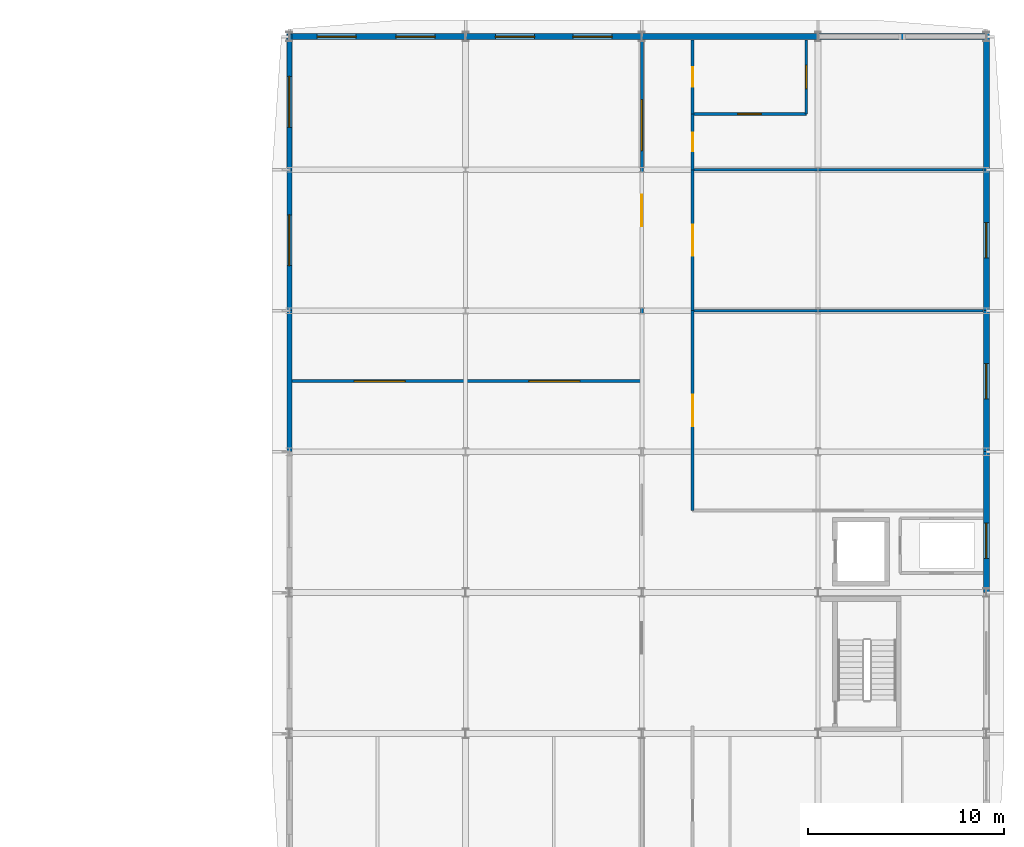
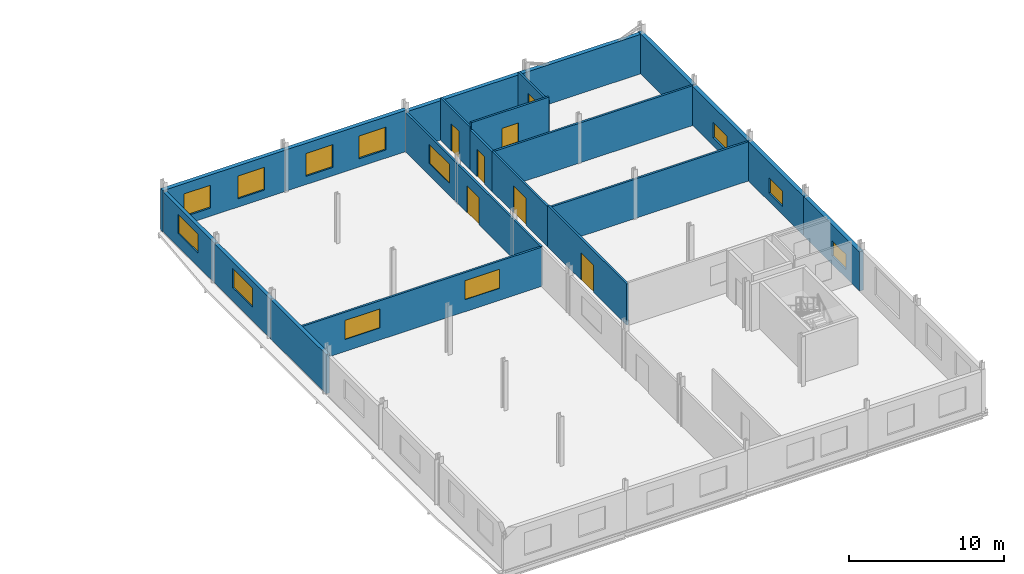
# One storey, part 45 of 49: 21 walls, 14 windows, 5 doors, 19 openings.
"""IFC4 building model written with IfcOpenShell, lengths in metres."""

from ifc_helpers import new_model, si_unit, direction, frame, frame_2d, origin, place, context, subcontext, project, spatial, rectangle, extrude, material, layer, layer_set, type_object, element, fill, save


model = new_model("IFC4")

# Units and contexts
model_context = context("Model", 3, precision=1e-05, world=origin(), true_north=direction((0.0, 1.0)))
body_context = subcontext(model_context, "Body", "Model", "MODEL_VIEW")
ifc_project = project(units=[si_unit("LENGTHUNIT", "METRE"), si_unit("AREAUNIT", "SQUARE_METRE"), si_unit("VOLUMEUNIT", "CUBIC_METRE"), si_unit("PLANEANGLEUNIT", "RADIAN"), si_unit("MASSUNIT", "GRAM", prefix="KILO")], contexts=[model_context])

# Site, building, storey
site_placement = place(None, origin())
site = spatial("IfcSite", under=ifc_project, at=site_placement, CompositionType="ELEMENT")
building_placement = place(site_placement, origin())
building = spatial("IfcBuilding", under=site, at=building_placement, Name="Vinh Khe Railworks Police Headquarters", CompositionType="ELEMENT")
storey_placement = place(building_placement, frame((0.0, 0.0, 17.10009765625)))
storey = spatial("IfcBuildingStorey", under=building, at=storey_placement, Name="L04", CompositionType="ELEMENT", Elevation=17.10009765625)

# Wall
ifc_material_1 = material(Name="Clay brickwork", Category="masonry")
ifc_layer_1 = layer(ifc_material_1, 0.260009765625)
ifc_layer_set_1 = layer_set([ifc_layer_1], Name="Clay brickwork")
wall_type_1 = type_object("IfcWallType", Name="EW-BRK-260", PredefinedType="SOLIDWALL", material=ifc_layer_set_1)
wall_1_placement = place(storey_placement, frame((78.0, 145.199951171875, 0.0), z_axis=(0.0, 0.0, 1.0), x_axis=(0.0, 1.0, 0.0)))
element("IfcWall", 1, at=wall_1_placement, inside=storey, type_object=wall_type_1, Name="Exterior Brick Wall EW-L04-V6W-04", PredefinedType="SOLIDWALL", context=body_context, shape_type="SweptSolid", body=[
    extrude(rectangle(XDim=7.199951171875, YDim=0.260009765625, at=frame_2d((3.60009765625, 0.0))), origin(), (0.0, 0.0, 1.0), 3.094970703125),
])

# Wall, opening, window
wall_2_placement = place(storey_placement, frame((78.0, 152.39990234375, 0.0), z_axis=(0.0, 0.0, 1.0), x_axis=(0.0, 1.0, 0.0)))
wall_2 = element("IfcWall", 2, at=wall_2_placement, inside=storey, type_object=wall_type_1, Name="Exterior Brick Wall EW-L04-V6W-05", PredefinedType="SOLIDWALL", context=body_context, shape_type="SweptSolid", body=[
    extrude(rectangle(XDim=7.2001953125, YDim=0.260009765625, at=frame_2d((3.60009765625, 0.0))), origin(), (0.0, 0.0, 1.0), 3.094970703125),
])
opening_1_placement = place(wall_2_placement, frame((2.300048828125, 0.0, 1.050048828125)))
opening_1 = element("IfcOpeningElement", 3, at=opening_1_placement, cuts=wall_2, Name="Opening WN-07", PredefinedType="OPENING", context=body_context, shape_type="SweptSolid", body=[
    extrude(rectangle(XDim=2.60009765625, YDim=1.5, at=frame_2d((1.300048828125, 0.75))), frame((0.0, 0.14501953125, 0.0), z_axis=(0.0, -1.0, 0.0), x_axis=(1.0, 0.0, 0.0)), (0.0, 0.0, 1.0), 0.289794921875),
])
ifc_material_2 = material(Name="Double-glazed solar-control glass in dark steel frame", Category="steel")
window_type_1 = type_object("IfcWindowType", Name="WIN-WN-07", PartitioningType="DOUBLE_PANEL_HORIZONTAL", PredefinedType="WINDOW", material=ifc_material_2)
window_1_placement = place(opening_1_placement, origin())
window_1 = element("IfcWindow", 4, at=window_1_placement, inside=storey, type_object=window_type_1, Name="Casement Window WN-07", OverallHeight=1.5, OverallWidth=2.60009765625, PartitioningType="SINGLE_PANEL", PredefinedType="WINDOW", context=body_context, shape_type="SweptSolid", body=[
    extrude(rectangle(XDim=2.60009765625, YDim=1.5, at=frame_2d((1.300048828125, 0.75))), frame((0.0, 0.030029296875, 0.0), z_axis=(0.0, -1.0, 0.0), x_axis=(1.0, 0.0, 0.0)), (0.0, 0.0, 1.0), 0.06005859375),
])
fill(opening_1, window_1)

wall_3_placement = place(storey_placement, frame((78.0, 159.60009765625, 0.0), z_axis=(0.0, 0.0, 1.0), x_axis=(0.0, 1.0, 0.0)))
wall_3 = element("IfcWall", 5, at=wall_3_placement, inside=storey, type_object=wall_type_1, Name="Exterior Brick Wall EW-L04-V6W-06", PredefinedType="SOLIDWALL", context=body_context, shape_type="SweptSolid", body=[
    extrude(rectangle(XDim=6.929931640625, YDim=0.260009765625, at=frame_2d((3.46484375, 0.0))), origin(), (0.0, 0.0, 1.0), 3.14501953125),
])
opening_2_placement = place(wall_3_placement, frame((2.1650390625, 0.0, 1.050048828125)))
opening_2 = element("IfcOpeningElement", 6, at=opening_2_placement, cuts=wall_3, Name="Opening WN-07", PredefinedType="OPENING", context=body_context, shape_type="SweptSolid", body=[
    extrude(rectangle(XDim=2.60009765625, YDim=1.5, at=frame_2d((1.300048828125, 0.75))), frame((0.0, 0.14501953125, 0.0), z_axis=(0.0, -1.0, 0.0), x_axis=(1.0, 0.0, 0.0)), (0.0, 0.0, 1.0), 0.289794921875),
])
window_2_placement = place(opening_2_placement, origin())
window_2 = element("IfcWindow", 7, at=window_2_placement, inside=storey, type_object=window_type_1, Name="Casement Window WN-07", OverallHeight=1.5, OverallWidth=2.60009765625, PartitioningType="SINGLE_PANEL", PredefinedType="WINDOW", context=body_context, shape_type="SweptSolid", body=[
    extrude(rectangle(XDim=2.60009765625, YDim=1.5, at=frame_2d((1.300048828125, 0.75))), frame((0.0, 0.030029296875, 0.0), z_axis=(0.0, -1.0, 0.0), x_axis=(1.0, 0.0, 0.0)), (0.0, 0.0, 1.0), 0.06005859375),
])
fill(opening_2, window_2)

ifc_layer_2 = layer(ifc_material_1, 0.300048828125)
ifc_layer_set_2 = layer_set([ifc_layer_2], Name="Clay brickwork")
wall_type_2 = type_object("IfcWallType", Name="EW-BRK-300", PredefinedType="SOLIDWALL", material=ifc_layer_set_2)
wall_4_placement = place(storey_placement, frame((113.60009765625, 138.0, 0.0), z_axis=(0.0, 0.0, 1.0), x_axis=(0.0, 1.0, 0.0)))
wall_4 = element("IfcWall", 8, at=wall_4_placement, inside=storey, type_object=wall_type_2, Name="Exterior Brick Wall EW-L04-V6E-03", PredefinedType="SOLIDWALL", context=body_context, shape_type="SweptSolid", body=[
    extrude(rectangle(XDim=7.199951171875, YDim=0.300048828125, at=frame_2d((3.60009765625, 0.0))), origin(), (0.0, 0.0, 1.0), 3.094970703125),
])
opening_3_placement = place(wall_4_placement, frame((1.75, 0.0, 0.64990234375)))
opening_3 = element("IfcOpeningElement", 9, at=opening_3_placement, cuts=wall_4, Name="Opening WN-08", PredefinedType="OPENING", context=body_context, shape_type="SweptSolid", body=[
    extrude(rectangle(XDim=1.800048828125, YDim=1.199951171875, at=frame_2d((0.89990234375, 0.60009765625))), frame((0.0, 0.1650390625, 0.0), z_axis=(0.0, -1.0, 0.0), x_axis=(1.0, 0.0, 0.0)), (0.0, 0.0, 1.0), 0.329833984375),
])
window_type_2 = type_object("IfcWindowType", Name="WIN-WN-08", PartitioningType="SINGLE_PANEL", PredefinedType="WINDOW", material=ifc_material_2)
window_3_placement = place(opening_3_placement, origin())
window_3 = element("IfcWindow", 10, at=window_3_placement, inside=storey, type_object=window_type_2, Name="Casement Window WN-08", OverallHeight=1.199951171875, OverallWidth=1.800048828125, PartitioningType="SINGLE_PANEL", PredefinedType="WINDOW", context=body_context, shape_type="SweptSolid", body=[
    extrude(rectangle(XDim=1.800048828125, YDim=1.199951171875, at=frame_2d((0.89990234375, 0.60009765625))), frame((0.0, 0.030029296875, 0.0), z_axis=(0.0, -1.0, 0.0), x_axis=(1.0, 0.0, 0.0)), (0.0, 0.0, 1.0), 0.06005859375),
])
fill(opening_3, window_3)

wall_5_placement = place(storey_placement, frame((113.60009765625, 145.199951171875, 0.0), z_axis=(0.0, 0.0, 1.0), x_axis=(0.0, 1.0, 0.0)))
wall_5 = element("IfcWall", 11, at=wall_5_placement, inside=storey, type_object=wall_type_2, Name="Exterior Brick Wall EW-L04-V6E-04", PredefinedType="SOLIDWALL", context=body_context, shape_type="SweptSolid", body=[
    extrude(rectangle(XDim=7.199951171875, YDim=0.300048828125, at=frame_2d((3.60009765625, 0.0))), origin(), (0.0, 0.0, 1.0), 3.094970703125),
])
opening_4_placement = place(wall_5_placement, frame((2.699951171875, 0.0, 0.64990234375)))
opening_4 = element("IfcOpeningElement", 12, at=opening_4_placement, cuts=wall_5, Name="Opening WN-08", PredefinedType="OPENING", context=body_context, shape_type="SweptSolid", body=[
    extrude(rectangle(XDim=1.800048828125, YDim=1.199951171875, at=frame_2d((0.89990234375, 0.60009765625))), frame((0.0, 0.1650390625, 0.0), z_axis=(0.0, -1.0, 0.0), x_axis=(1.0, 0.0, 0.0)), (0.0, 0.0, 1.0), 0.329833984375),
])
window_4_placement = place(opening_4_placement, origin())
window_4 = element("IfcWindow", 13, at=window_4_placement, inside=storey, type_object=window_type_2, Name="Casement Window WN-08", OverallHeight=1.199951171875, OverallWidth=1.800048828125, PartitioningType="SINGLE_PANEL", PredefinedType="WINDOW", context=body_context, shape_type="SweptSolid", body=[
    extrude(rectangle(XDim=1.800048828125, YDim=1.199951171875, at=frame_2d((0.89990234375, 0.60009765625))), frame((0.0, 0.030029296875, 0.0), z_axis=(0.0, -1.0, 0.0), x_axis=(1.0, 0.0, 0.0)), (0.0, 0.0, 1.0), 0.06005859375),
])
fill(opening_4, window_4)

wall_6_placement = place(storey_placement, frame((113.60009765625, 152.39990234375, 0.0), z_axis=(0.0, 0.0, 1.0), x_axis=(0.0, 1.0, 0.0)))
wall_6 = element("IfcWall", 14, at=wall_6_placement, inside=storey, type_object=wall_type_2, Name="Exterior Brick Wall EW-L04-V6E-05", PredefinedType="SOLIDWALL", context=body_context, shape_type="SweptSolid", body=[
    extrude(rectangle(XDim=7.2001953125, YDim=0.300048828125, at=frame_2d((3.60009765625, 0.0))), origin(), (0.0, 0.0, 1.0), 3.094970703125),
])
opening_5_placement = place(wall_6_placement, frame((2.699951171875, 0.0, 0.64990234375)))
opening_5 = element("IfcOpeningElement", 15, at=opening_5_placement, cuts=wall_6, Name="Opening WN-08", PredefinedType="OPENING", context=body_context, shape_type="SweptSolid", body=[
    extrude(rectangle(XDim=1.800048828125, YDim=1.199951171875, at=frame_2d((0.89990234375, 0.60009765625))), frame((0.0, 0.1650390625, 0.0), z_axis=(0.0, -1.0, 0.0), x_axis=(1.0, 0.0, 0.0)), (0.0, 0.0, 1.0), 0.329833984375),
])
window_5_placement = place(opening_5_placement, origin())
window_5 = element("IfcWindow", 16, at=window_5_placement, inside=storey, type_object=window_type_2, Name="Casement Window WN-08", OverallHeight=1.199951171875, OverallWidth=1.800048828125, PartitioningType="SINGLE_PANEL", PredefinedType="WINDOW", context=body_context, shape_type="SweptSolid", body=[
    extrude(rectangle(XDim=1.800048828125, YDim=1.199951171875, at=frame_2d((0.89990234375, 0.60009765625))), frame((0.0, 0.030029296875, 0.0), z_axis=(0.0, -1.0, 0.0), x_axis=(1.0, 0.0, 0.0)), (0.0, 0.0, 1.0), 0.06005859375),
])
fill(opening_5, window_5)

# Wall
wall_7_placement = place(storey_placement, frame((113.60009765625, 159.60009765625, 0.0), z_axis=(0.0, 0.0, 1.0), x_axis=(0.0, 1.0, 0.0)))
element("IfcWall", 17, at=wall_7_placement, inside=storey, type_object=wall_type_2, Name="Exterior Brick Wall EW-L04-V6E-06", PredefinedType="SOLIDWALL", context=body_context, shape_type="SweptSolid", body=[
    extrude(rectangle(XDim=6.949951171875, YDim=0.300048828125, at=frame_2d((3.47509765625, 0.0))), origin(), (0.0, 0.0, 1.0), 3.14501953125),
])

# Wall, openings, windows
wall_8_placement = place(storey_placement, frame((77.85009765625, 166.39990234375, 0.0), z_axis=(0.0, 0.0, 1.0), x_axis=(1.0, 0.0, 0.0)))
wall_8 = element("IfcWall", 18, at=wall_8_placement, inside=storey, type_object=wall_type_2, Name="Exterior Brick Wall EW-L04-V6N-01", PredefinedType="SOLIDWALL", context=body_context, shape_type="SweptSolid", body=[
    extrude(rectangle(XDim=9.14990234375, YDim=0.300048828125, at=frame_2d((4.574951171875, 0.0))), origin(), (0.0, 0.0, 1.0), 3.2548828125),
])
opening_6_placement = place(wall_8_placement, frame((1.56201171875, 0.0, 0.64990234375)))
opening_6 = element("IfcOpeningElement", 19, at=opening_6_placement, cuts=wall_8, Name="Opening WN-04", PredefinedType="OPENING", context=body_context, shape_type="SweptSolid", body=[
    extrude(rectangle(XDim=2.0, YDim=1.800048828125, at=frame_2d((1.0, 0.89990234375))), frame((0.0, 0.1650390625, 0.0), z_axis=(0.0, -1.0, 0.0), x_axis=(1.0, 0.0, 0.0)), (0.0, 0.0, 1.0), 0.329833984375),
])
opening_7_placement = place(wall_8_placement, frame((5.587890625, 0.0, 0.64990234375)))
opening_7 = element("IfcOpeningElement", 20, at=opening_7_placement, cuts=wall_8, Name="Opening WN-04", PredefinedType="OPENING", context=body_context, shape_type="SweptSolid", body=[
    extrude(rectangle(XDim=2.0, YDim=1.800048828125, at=frame_2d((1.0, 0.89990234375))), frame((0.0, 0.1650390625, 0.0), z_axis=(0.0, -1.0, 0.0), x_axis=(1.0, 0.0, 0.0)), (0.0, 0.0, 1.0), 0.329833984375),
])
window_type_3 = type_object("IfcWindowType", Name="WIN-WN-04", PartitioningType="DOUBLE_PANEL_VERTICAL", PredefinedType="WINDOW", material=ifc_material_2)
window_6_placement = place(opening_6_placement, origin())
window_6 = element("IfcWindow", 21, at=window_6_placement, inside=storey, type_object=window_type_3, Name="Casement Window WN-04", OverallHeight=1.800048828125, OverallWidth=2.0, PartitioningType="SINGLE_PANEL", PredefinedType="WINDOW", context=body_context, shape_type="SweptSolid", body=[
    extrude(rectangle(XDim=2.0, YDim=1.800048828125, at=frame_2d((1.0, 0.89990234375))), frame((0.0, 0.030029296875, 0.0), z_axis=(0.0, -1.0, 0.0), x_axis=(1.0, 0.0, 0.0)), (0.0, 0.0, 1.0), 0.06005859375),
])
fill(opening_6, window_6)
window_7_placement = place(opening_7_placement, origin())
window_7 = element("IfcWindow", 22, at=window_7_placement, inside=storey, type_object=window_type_3, Name="Casement Window WN-04", OverallHeight=1.800048828125, OverallWidth=2.0, PartitioningType="SINGLE_PANEL", PredefinedType="WINDOW", context=body_context, shape_type="SweptSolid", body=[
    extrude(rectangle(XDim=2.0, YDim=1.800048828125, at=frame_2d((1.0, 0.89990234375))), frame((0.0, 0.030029296875, 0.0), z_axis=(0.0, -1.0, 0.0), x_axis=(1.0, 0.0, 0.0)), (0.0, 0.0, 1.0), 0.06005859375),
])
fill(opening_7, window_7)

wall_9_placement = place(storey_placement, frame((87.0, 166.39990234375, 0.0), z_axis=(0.0, 0.0, 1.0), x_axis=(1.0, 0.0, 0.0)))
wall_9 = element("IfcWall", 23, at=wall_9_placement, inside=storey, type_object=wall_type_2, Name="Exterior Brick Wall EW-L04-V6N-02", PredefinedType="SOLIDWALL", context=body_context, shape_type="SweptSolid", body=[
    extrude(rectangle(XDim=9.0, YDim=0.300048828125, at=frame_2d((4.5, 0.0))), origin(), (0.0, 0.0, 1.0), 3.2548828125),
])
opening_8_placement = place(wall_9_placement, frame((1.52001953125, 0.0, 0.64990234375)))
opening_8 = element("IfcOpeningElement", 24, at=opening_8_placement, cuts=wall_9, Name="Opening WN-04", PredefinedType="OPENING", context=body_context, shape_type="SweptSolid", body=[
    extrude(rectangle(XDim=2.0, YDim=1.800048828125, at=frame_2d((1.0, 0.89990234375))), frame((0.0, 0.1650390625, 0.0), z_axis=(0.0, -1.0, 0.0), x_axis=(1.0, 0.0, 0.0)), (0.0, 0.0, 1.0), 0.329833984375),
])
opening_9_placement = place(wall_9_placement, frame((5.47998046875, 0.0, 0.64990234375)))
opening_9 = element("IfcOpeningElement", 25, at=opening_9_placement, cuts=wall_9, Name="Opening WN-04", PredefinedType="OPENING", context=body_context, shape_type="SweptSolid", body=[
    extrude(rectangle(XDim=2.0, YDim=1.800048828125, at=frame_2d((1.0, 0.89990234375))), frame((0.0, 0.1650390625, 0.0), z_axis=(0.0, -1.0, 0.0), x_axis=(1.0, 0.0, 0.0)), (0.0, 0.0, 1.0), 0.329833984375),
])
window_8_placement = place(opening_8_placement, origin())
window_8 = element("IfcWindow", 26, at=window_8_placement, inside=storey, type_object=window_type_3, Name="Casement Window WN-04", OverallHeight=1.800048828125, OverallWidth=2.0, PartitioningType="SINGLE_PANEL", PredefinedType="WINDOW", context=body_context, shape_type="SweptSolid", body=[
    extrude(rectangle(XDim=2.0, YDim=1.800048828125, at=frame_2d((1.0, 0.89990234375))), frame((0.0, 0.030029296875, 0.0), z_axis=(0.0, -1.0, 0.0), x_axis=(1.0, 0.0, 0.0)), (0.0, 0.0, 1.0), 0.06005859375),
])
fill(opening_8, window_8)
window_9_placement = place(opening_9_placement, origin())
window_9 = element("IfcWindow", 27, at=window_9_placement, inside=storey, type_object=window_type_3, Name="Casement Window WN-04", OverallHeight=1.800048828125, OverallWidth=2.0, PartitioningType="SINGLE_PANEL", PredefinedType="WINDOW", context=body_context, shape_type="SweptSolid", body=[
    extrude(rectangle(XDim=2.0, YDim=1.800048828125, at=frame_2d((1.0, 0.89990234375))), frame((0.0, 0.030029296875, 0.0), z_axis=(0.0, -1.0, 0.0), x_axis=(1.0, 0.0, 0.0)), (0.0, 0.0, 1.0), 0.06005859375),
])
fill(opening_9, window_9)

# Walls
wall_10_placement = place(storey_placement, frame((96.0, 166.39990234375, 0.0), z_axis=(0.0, 0.0, 1.0), x_axis=(1.0, 0.0, 0.0)))
element("IfcWall", 28, at=wall_10_placement, inside=storey, type_object=wall_type_2, Name="Exterior Brick Wall EW-L04-V6N-03", PredefinedType="SOLIDWALL", context=body_context, shape_type="SweptSolid", body=[
    extrude(rectangle(XDim=9.0, YDim=0.300048828125, at=frame_2d((4.5, 0.0))), origin(), (0.0, 0.0, 1.0), 3.10498046875),
])
wall_11_placement = place(storey_placement, frame((105.0, 166.39990234375, 0.0), z_axis=(0.0, 0.0, 1.0), x_axis=(1.0, 0.0, 0.0)))
element("IfcWall", 29, at=wall_11_placement, inside=storey, type_object=wall_type_2, Name="Exterior Brick Wall EW-L04-V6N-04", PredefinedType="SOLIDWALL", context=body_context, shape_type="SweptSolid", body=[
    extrude(rectangle(XDim=8.75, YDim=0.300048828125, at=frame_2d((4.375, 0.0))), origin(), (0.0, 0.0, 1.0), 3.10498046875),
])

# Wall, openings, windows
ifc_material_3 = material(Name="Gypsum plasterboard on steel stud", Category="steel")
ifc_layer_3 = layer(ifc_material_3, 0.1201171875)
ifc_layer_set_3 = layer_set([ifc_layer_3], Name="Gypsum plasterboard on steel stud")
wall_type_3 = type_object("IfcWallType", Name="IW-PART-120", PredefinedType="PARTITIONING", material=ifc_layer_set_3)
wall_12_placement = place(storey_placement, frame((78.139892578125, 148.800048828125, 0.0), z_axis=(0.0, 0.0, 1.0), x_axis=(1.0, 0.0, 0.0)))
wall_12 = element("IfcWall", 30, at=wall_12_placement, inside=storey, type_object=wall_type_3, Name="Interior Partition W-L04-V6B-CYBTR-DIV", PredefinedType="PARTITIONING", context=body_context, shape_type="SweptSolid", body=[
    extrude(rectangle(XDim=17.860107421875, YDim=0.14990234375, at=frame_2d((8.93017578125, 0.0))), origin(), (0.0, 0.0, 1.0), 3.094970703125),
])
opening_10_placement = place(wall_12_placement, frame((3.1650390625, 0.0, 0.949951171875)))
opening_10 = element("IfcOpeningElement", 31, at=opening_10_placement, cuts=wall_12, Name="Opening WN-07", PredefinedType="OPENING", context=body_context, shape_type="SweptSolid", body=[
    extrude(rectangle(XDim=2.60009765625, YDim=1.5, at=frame_2d((1.300048828125, 0.75))), frame((0.0, 0.08984375, 0.0), z_axis=(0.0, -1.0, 0.0), x_axis=(1.0, 0.0, 0.0)), (0.0, 0.0, 1.0), 0.1796875),
])
opening_11_placement = place(wall_12_placement, frame((12.094970703125, 0.0, 0.949951171875)))
opening_11 = element("IfcOpeningElement", 32, at=opening_11_placement, cuts=wall_12, Name="Opening WN-07", PredefinedType="OPENING", context=body_context, shape_type="SweptSolid", body=[
    extrude(rectangle(XDim=2.60009765625, YDim=1.5, at=frame_2d((1.300048828125, 0.75))), frame((0.0, 0.08984375, 0.0), z_axis=(0.0, -1.0, 0.0), x_axis=(1.0, 0.0, 0.0)), (0.0, 0.0, 1.0), 0.1796875),
])
window_10_placement = place(opening_10_placement, origin())
window_10 = element("IfcWindow", 33, at=window_10_placement, inside=storey, type_object=window_type_1, Name="Interior Acoustic Vision Window WN-07", OverallHeight=1.5, OverallWidth=2.60009765625, PartitioningType="SINGLE_PANEL", PredefinedType="WINDOW", context=body_context, shape_type="SweptSolid", body=[
    extrude(rectangle(XDim=2.60009765625, YDim=1.5, at=frame_2d((1.300048828125, 0.75))), frame((0.0, 0.030029296875, 0.0), z_axis=(0.0, -1.0, 0.0), x_axis=(1.0, 0.0, 0.0)), (0.0, 0.0, 1.0), 0.06005859375),
])
fill(opening_10, window_10)
window_11_placement = place(opening_11_placement, origin())
window_11 = element("IfcWindow", 34, at=window_11_placement, inside=storey, type_object=window_type_1, Name="Interior Acoustic Vision Window WN-07", OverallHeight=1.5, OverallWidth=2.60009765625, PartitioningType="SINGLE_PANEL", PredefinedType="WINDOW", context=body_context, shape_type="SweptSolid", body=[
    extrude(rectangle(XDim=2.60009765625, YDim=1.5, at=frame_2d((1.300048828125, 0.75))), frame((0.0, 0.030029296875, 0.0), z_axis=(0.0, -1.0, 0.0), x_axis=(1.0, 0.0, 0.0)), (0.0, 0.0, 1.0), 0.06005859375),
])
fill(opening_11, window_11)

# Wall
wall_13_placement = place(storey_placement, frame((98.60009765625, 152.39990234375, 0.0), z_axis=(0.0, 0.0, 1.0), x_axis=(1.0, 0.0, 0.0)))
element("IfcWall", 35, at=wall_13_placement, inside=storey, type_object=wall_type_3, Name="Interior Partition W-L04-V6B-LSEM2-DIV", PredefinedType="PARTITIONING", context=body_context, shape_type="SweptSolid", body=[
    extrude(rectangle(XDim=14.83984375, YDim=0.14990234375, at=frame_2d((7.419921875, 0.0))), origin(), (0.0, 0.0, 1.0), 3.094970703125),
])

# Wall, opening, window
wall_14_placement = place(storey_placement, frame((98.60009765625, 162.447021484375, 0.0), z_axis=(0.0, 0.0, 1.0), x_axis=(1.0, 0.0, 0.0)))
wall_14 = element("IfcWall", 36, at=wall_14_placement, inside=storey, type_object=wall_type_3, Name="Interior Partition W-L04-V6B-V6WC4S-DIV", PredefinedType="PARTITIONING", context=body_context, shape_type="SweptSolid", body=[
    extrude(rectangle(XDim=5.7998046875, YDim=0.14990234375, at=frame_2d((2.89990234375, 0.0))), origin(), (0.0, 0.0, 1.0), 3.69482421875),
])
opening_12_placement = place(wall_14_placement, frame((2.300048828125, 0.0, 0.949951171875)))
opening_12 = element("IfcOpeningElement", 37, at=opening_12_placement, cuts=wall_14, Name="Opening WN-10", PredefinedType="OPENING", context=body_context, shape_type="SweptSolid", body=[
    extrude(rectangle(XDim=1.199951171875, YDim=1.5, at=frame_2d((0.60009765625, 0.75))), frame((0.0, 0.08984375, 0.0), z_axis=(0.0, -1.0, 0.0), x_axis=(1.0, 0.0, 0.0)), (0.0, 0.0, 1.0), 0.1796875),
])
window_type_4 = type_object("IfcWindowType", Name="WIN-WN-10", PartitioningType="SINGLE_PANEL", PredefinedType="WINDOW", material=ifc_material_2)
window_12_placement = place(opening_12_placement, origin())
window_12 = element("IfcWindow", 38, at=window_12_placement, inside=storey, type_object=window_type_4, Name="Interior Acoustic Vision Window WN-10", OverallHeight=1.5, OverallWidth=1.199951171875, PartitioningType="SINGLE_PANEL", PredefinedType="WINDOW", context=body_context, shape_type="SweptSolid", body=[
    extrude(rectangle(XDim=1.199951171875, YDim=1.5, at=frame_2d((0.60009765625, 0.75))), frame((0.0, 0.030029296875, 0.0), z_axis=(0.0, -1.0, 0.0), x_axis=(1.0, 0.0, 0.0)), (0.0, 0.0, 1.0), 0.06005859375),
])
fill(opening_12, window_12)

wall_15_placement = place(storey_placement, frame((104.39990234375, 162.447021484375, 0.0), z_axis=(0.0, 0.0, 1.0), x_axis=(0.0, 1.0, 0.0)))
wall_15 = element("IfcWall", 39, at=wall_15_placement, inside=storey, type_object=wall_type_3, Name="Interior Partition W-L04-V6B-V6WC4-REAR", PredefinedType="PARTITIONING", context=body_context, shape_type="SweptSolid", body=[
    extrude(rectangle(XDim=3.79296875, YDim=0.14990234375, at=frame_2d((1.896484375, 0.0))), origin(), (0.0, 0.0, 1.0), 3.344970703125),
])
opening_13_placement = place(wall_15_placement, frame((1.29638671875, 0.0, 0.949951171875)))
opening_13 = element("IfcOpeningElement", 40, at=opening_13_placement, cuts=wall_15, Name="Opening WN-10", PredefinedType="OPENING", context=body_context, shape_type="SweptSolid", body=[
    extrude(rectangle(XDim=1.199951171875, YDim=1.5, at=frame_2d((0.60009765625, 0.75))), frame((0.0, 0.08984375, 0.0), z_axis=(0.0, -1.0, 0.0), x_axis=(1.0, 0.0, 0.0)), (0.0, 0.0, 1.0), 0.1796875),
])
window_13_placement = place(opening_13_placement, origin())
window_13 = element("IfcWindow", 41, at=window_13_placement, inside=storey, type_object=window_type_4, Name="Interior Acoustic Vision Window WN-10", OverallHeight=1.5, OverallWidth=1.199951171875, PartitioningType="SINGLE_PANEL", PredefinedType="WINDOW", context=body_context, shape_type="SweptSolid", body=[
    extrude(rectangle(XDim=1.199951171875, YDim=1.5, at=frame_2d((0.60009765625, 0.75))), frame((0.0, 0.030029296875, 0.0), z_axis=(0.0, -1.0, 0.0), x_axis=(1.0, 0.0, 0.0)), (0.0, 0.0, 1.0), 0.06005859375),
])
fill(opening_13, window_13)

# Wall
wall_16_placement = place(storey_placement, frame((98.60009765625, 159.60009765625, 0.0), z_axis=(0.0, 0.0, 1.0), x_axis=(1.0, 0.0, 0.0)))
element("IfcWall", 42, at=wall_16_placement, inside=storey, type_object=wall_type_3, Name="Interior Partition W-L04-V6B-V6WC4-DIV", PredefinedType="PARTITIONING", context=body_context, shape_type="SweptSolid", body=[
    extrude(rectangle(XDim=14.83984375, YDim=0.14990234375, at=frame_2d((7.419921875, 0.0))), origin(), (0.0, 0.0, 1.0), 3.14501953125),
])

# Wall, openings, door, window
ifc_material_4 = material(Name="Gypsum plasterboard on acoustic steel stud", Category="steel")
ifc_layer_4 = layer(ifc_material_4, 0.14990234375)
ifc_layer_set_4 = layer_set([ifc_layer_4], Name="Gypsum plasterboard on acoustic steel stud")
wall_type_4 = type_object("IfcWallType", Name="IW-PART-150", PredefinedType="PARTITIONING", material=ifc_layer_set_4)
wall_17_placement = place(storey_placement, frame((96.0, 148.800048828125, 0.0), z_axis=(0.0, 0.0, 1.0), x_axis=(0.0, 1.0, 0.0)))
wall_17 = element("IfcWall", 43, at=wall_17_placement, inside=storey, type_object=wall_type_4, Name="Interior Partition W-L04-V6B-CYBTR-CW", PredefinedType="PARTITIONING", context=body_context, shape_type="SweptSolid", body=[
    extrude(rectangle(XDim=17.43994140625, YDim=0.14990234375, at=frame_2d((8.719970703125, 0.0))), origin(), (0.0, 0.0, 1.0), 3.094970703125),
])
opening_14_placement = place(wall_17_placement, frame((7.919921875, 0.0, 0.0)))
opening_14 = element("IfcOpeningElement", 44, at=opening_14_placement, cuts=wall_17, Name="Opening D-03", PredefinedType="OPENING", context=body_context, shape_type="SweptSolid", body=[
    extrude(rectangle(XDim=1.60009765625, YDim=2.14990234375, at=frame_2d((0.800048828125, 1.074951171875))), frame((0.0, 0.08984375, 0.0), z_axis=(0.0, -1.0, 0.0), x_axis=(1.0, 0.0, 0.0)), (0.0, 0.0, 1.0), 0.1796875),
])
opening_15_placement = place(wall_17_placement, frame((11.780029296875, 0.0, 0.949951171875)))
opening_15 = element("IfcOpeningElement", 45, at=opening_15_placement, cuts=wall_17, Name="Opening WN-07", PredefinedType="OPENING", context=body_context, shape_type="SweptSolid", body=[
    extrude(rectangle(XDim=2.60009765625, YDim=1.5, at=frame_2d((1.300048828125, 0.75))), frame((0.0, 0.08984375, 0.0), z_axis=(0.0, -1.0, 0.0), x_axis=(1.0, 0.0, 0.0)), (0.0, 0.0, 1.0), 0.1796875),
])
ifc_material_5 = material(Name="Painted galvanised steel", Category="steel")
door_type_1 = type_object("IfcDoorType", Name="ID-1600x2150", OperationType="DOUBLE_DOOR_SINGLE_SWING", PredefinedType="DOOR", material=ifc_material_5)
door_1_placement = place(opening_14_placement, origin())
door_1 = element("IfcDoor", 46, at=door_1_placement, inside=storey, type_object=door_type_1, Name="Cyber Incident Training Laboratory Door", OperationType="DOUBLE_DOOR_SINGLE_SWING", OverallHeight=2.14990234375, OverallWidth=1.60009765625, PredefinedType="DOOR", context=body_context, shape_type="SweptSolid", body=[
    extrude(rectangle(XDim=1.60009765625, YDim=2.14990234375, at=frame_2d((0.800048828125, 1.074951171875))), frame((0.0, 0.02490234375, 0.0), z_axis=(0.0, -1.0, 0.0), x_axis=(1.0, 0.0, 0.0)), (0.0, 0.0, 1.0), 0.050048828125),
])
fill(opening_14, door_1)
window_14_placement = place(opening_15_placement, origin())
window_14 = element("IfcWindow", 47, at=window_14_placement, inside=storey, type_object=window_type_1, Name="Interior Acoustic Vision Window WN-07", OverallHeight=1.5, OverallWidth=2.60009765625, PartitioningType="SINGLE_PANEL", PredefinedType="WINDOW", context=body_context, shape_type="SweptSolid", body=[
    extrude(rectangle(XDim=2.60009765625, YDim=1.5, at=frame_2d((1.300048828125, 0.75))), frame((0.0, 0.030029296875, 0.0), z_axis=(0.0, -1.0, 0.0), x_axis=(1.0, 0.0, 0.0)), (0.0, 0.0, 1.0), 0.06005859375),
])
fill(opening_15, window_14)

# Wall, opening, door
wall_18_placement = place(storey_placement, frame((98.60009765625, 142.199951171875, 0.0), z_axis=(0.0, 0.0, 1.0), x_axis=(0.0, 1.0, 0.0)))
wall_18 = element("IfcWall", 48, at=wall_18_placement, inside=storey, type_object=wall_type_4, Name="Interior Partition W-L04-V6B-LSEM1-CE", PredefinedType="PARTITIONING", context=body_context, shape_type="SweptSolid", body=[
    extrude(rectangle(XDim=10.199951171875, YDim=0.14990234375, at=frame_2d((5.10009765625, 0.0))), origin(), (0.0, 0.0, 1.0), 3.2548828125),
])
opening_16_placement = place(wall_18_placement, frame((4.300048828125, 0.0, 0.0)))
opening_16 = element("IfcOpeningElement", 49, at=opening_16_placement, cuts=wall_18, Name="Opening D-03", PredefinedType="OPENING", context=body_context, shape_type="SweptSolid", body=[
    extrude(rectangle(XDim=1.60009765625, YDim=2.14990234375, at=frame_2d((0.800048828125, 1.074951171875))), frame((0.0, 0.08984375, 0.0), z_axis=(0.0, -1.0, 0.0), x_axis=(1.0, 0.0, 0.0)), (0.0, 0.0, 1.0), 0.1796875),
])
door_2_placement = place(opening_16_placement, origin())
door_2 = element("IfcDoor", 50, at=door_2_placement, inside=storey, type_object=door_type_1, Name="Digital Evidence Recovery Archive Door", OperationType="DOUBLE_DOOR_SINGLE_SWING", OverallHeight=2.14990234375, OverallWidth=1.60009765625, PredefinedType="DOOR", context=body_context, shape_type="SweptSolid", body=[
    extrude(rectangle(XDim=1.60009765625, YDim=2.14990234375, at=frame_2d((0.800048828125, 1.074951171875))), frame((0.0, 0.02490234375, 0.0), z_axis=(0.0, -1.0, 0.0), x_axis=(1.0, 0.0, 0.0)), (0.0, 0.0, 1.0), 0.050048828125),
])
fill(opening_16, door_2)

wall_19_placement = place(storey_placement, frame((98.60009765625, 152.39990234375, 0.0), z_axis=(0.0, 0.0, 1.0), x_axis=(0.0, 1.0, 0.0)))
wall_19 = element("IfcWall", 51, at=wall_19_placement, inside=storey, type_object=wall_type_4, Name="Interior Partition W-L04-V6B-LSEM2-CE", PredefinedType="PARTITIONING", context=body_context, shape_type="SweptSolid", body=[
    extrude(rectangle(XDim=7.2001953125, YDim=0.14990234375, at=frame_2d((3.60009765625, 0.0))), origin(), (0.0, 0.0, 1.0), 3.15478515625),
])
opening_17_placement = place(wall_19_placement, frame((2.800048828125, 0.0, 0.0)))
opening_17 = element("IfcOpeningElement", 52, at=opening_17_placement, cuts=wall_19, Name="Opening D-03", PredefinedType="OPENING", context=body_context, shape_type="SweptSolid", body=[
    extrude(rectangle(XDim=1.60009765625, YDim=2.14990234375, at=frame_2d((0.800048828125, 1.074951171875))), frame((0.0, 0.08984375, 0.0), z_axis=(0.0, -1.0, 0.0), x_axis=(1.0, 0.0, 0.0)), (0.0, 0.0, 1.0), 0.1796875),
])
door_3_placement = place(opening_17_placement, origin())
door_3 = element("IfcDoor", 53, at=door_3_placement, inside=storey, type_object=door_type_1, Name="Law and Procedure Seminar Room 02 Door", OperationType="DOUBLE_DOOR_SINGLE_SWING", OverallHeight=2.14990234375, OverallWidth=1.60009765625, PredefinedType="DOOR", context=body_context, shape_type="SweptSolid", body=[
    extrude(rectangle(XDim=1.60009765625, YDim=2.14990234375, at=frame_2d((0.800048828125, 1.074951171875))), frame((0.0, 0.02490234375, 0.0), z_axis=(0.0, -1.0, 0.0), x_axis=(1.0, 0.0, 0.0)), (0.0, 0.0, 1.0), 0.050048828125),
])
fill(opening_17, door_3)

wall_20_placement = place(storey_placement, frame((98.60009765625, 159.60009765625, 0.0), z_axis=(0.0, 0.0, 1.0), x_axis=(0.0, 1.0, 0.0)))
wall_20 = element("IfcWall", 54, at=wall_20_placement, inside=storey, type_object=wall_type_4, Name="Interior Partition W-L04-V6B-V6WC4S-CE", PredefinedType="PARTITIONING", context=body_context, shape_type="SweptSolid", body=[
    extrude(rectangle(XDim=2.846923828125, YDim=0.14990234375, at=frame_2d((1.42333984375, 0.0))), origin(), (0.0, 0.0, 1.0), 3.15478515625),
])
opening_18_placement = place(wall_20_placement, frame((0.948974609375, 0.0, 0.0)))
opening_18 = element("IfcOpeningElement", 55, at=opening_18_placement, cuts=wall_20, Name="Opening D-01", PredefinedType="OPENING", context=body_context, shape_type="SweptSolid", body=[
    extrude(rectangle(XDim=0.949951171875, YDim=2.14990234375, at=frame_2d((0.47509765625, 1.074951171875))), frame((0.0, 0.08984375, 0.0), z_axis=(0.0, -1.0, 0.0), x_axis=(1.0, 0.0, 0.0)), (0.0, 0.0, 1.0), 0.1796875),
])
ifc_material_6 = material(Name="Seasoned hardwood timber", Category="wood")
door_type_2 = type_object("IfcDoorType", Name="ID-950x2150", OperationType="NOTDEFINED", PredefinedType="DOOR", material=ifc_material_6)
door_4_placement = place(opening_18_placement, origin())
door_4 = element("IfcDoor", 56, at=door_4_placement, inside=storey, type_object=door_type_2, Name="Floor Supplies Store Door", OperationType="SINGLE_SWING_RIGHT", OverallHeight=2.14990234375, OverallWidth=0.949951171875, PredefinedType="DOOR", context=body_context, shape_type="SweptSolid", body=[
    extrude(rectangle(XDim=0.949951171875, YDim=2.14990234375, at=frame_2d((0.47509765625, 1.074951171875))), frame((0.0, 0.02490234375, 0.0), z_axis=(0.0, -1.0, 0.0), x_axis=(1.0, 0.0, 0.0)), (0.0, 0.0, 1.0), 0.050048828125),
])
fill(opening_18, door_4)

wall_21_placement = place(storey_placement, frame((98.60009765625, 162.447021484375, 0.0), z_axis=(0.0, 0.0, 1.0), x_axis=(0.0, 1.0, 0.0)))
wall_21 = element("IfcWall", 57, at=wall_21_placement, inside=storey, type_object=wall_type_4, Name="Interior Partition W-L04-V6B-V6WC4-CE", PredefinedType="PARTITIONING", context=body_context, shape_type="SweptSolid", body=[
    extrude(rectangle(XDim=3.79296875, YDim=0.14990234375, at=frame_2d((1.896484375, 0.0))), origin(), (0.0, 0.0, 1.0), 3.344970703125),
])
opening_19_placement = place(wall_21_placement, frame((1.39697265625, 0.0, 0.0)))
opening_19 = element("IfcOpeningElement", 58, at=opening_19_placement, cuts=wall_21, Name="Opening D-05", PredefinedType="OPENING", context=body_context, shape_type="SweptSolid", body=[
    extrude(rectangle(XDim=1.0, YDim=2.14990234375, at=frame_2d((0.5, 1.074951171875))), frame((0.0, 0.08984375, 0.0), z_axis=(0.0, -1.0, 0.0), x_axis=(1.0, 0.0, 0.0)), (0.0, 0.0, 1.0), 0.1796875),
])
door_type_3 = type_object("IfcDoorType", Name="ID-1000x2150", OperationType="NOTDEFINED", PredefinedType="DOOR", material=ifc_material_6)
door_5_placement = place(opening_19_placement, origin())
door_5 = element("IfcDoor", 59, at=door_5_placement, inside=storey, type_object=door_type_3, Name="Staff and Accessible WC L04 East Door", OperationType="SINGLE_SWING_LEFT", OverallHeight=2.14990234375, OverallWidth=1.0, PredefinedType="DOOR", context=body_context, shape_type="SweptSolid", body=[
    extrude(rectangle(XDim=1.0, YDim=2.14990234375, at=frame_2d((0.5, 1.074951171875))), frame((0.0, 0.02490234375, 0.0), z_axis=(0.0, -1.0, 0.0), x_axis=(1.0, 0.0, 0.0)), (0.0, 0.0, 1.0), 0.050048828125),
])
fill(opening_19, door_5)

save(model, "model.ifc")
